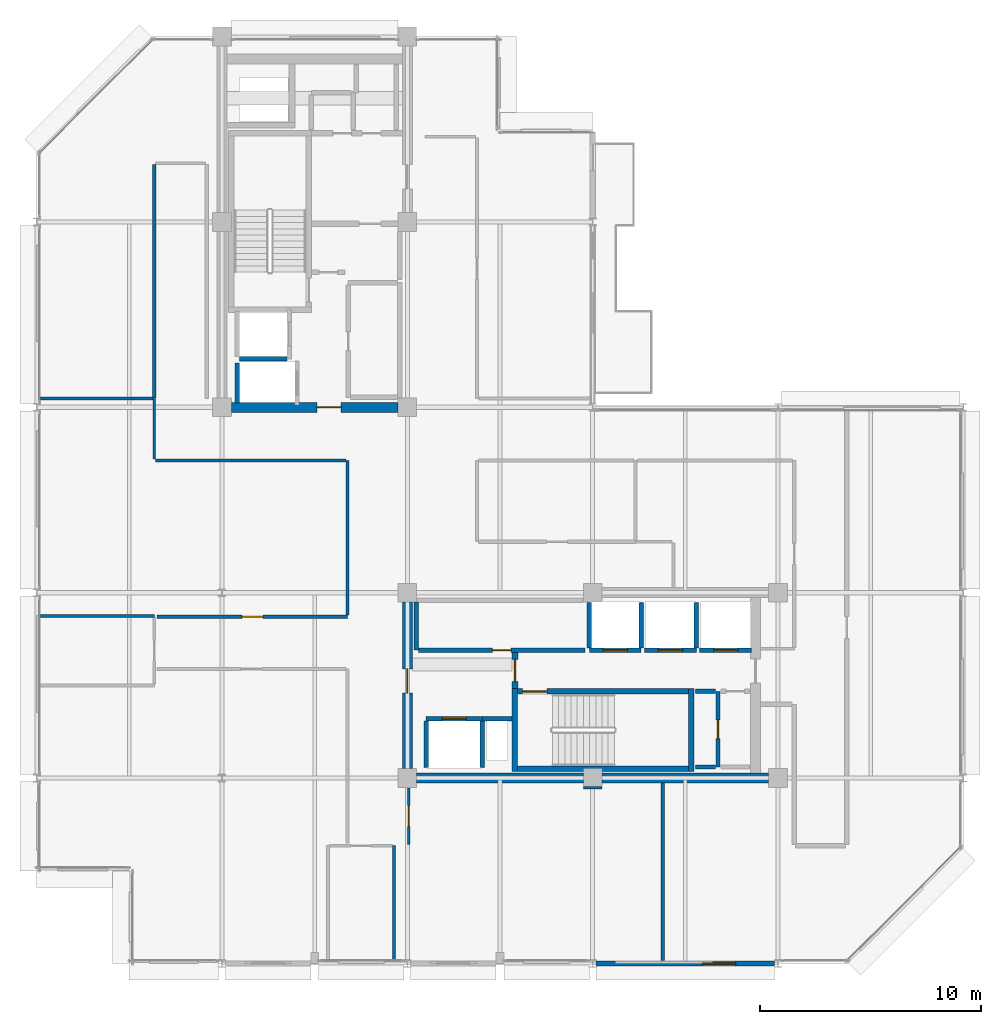
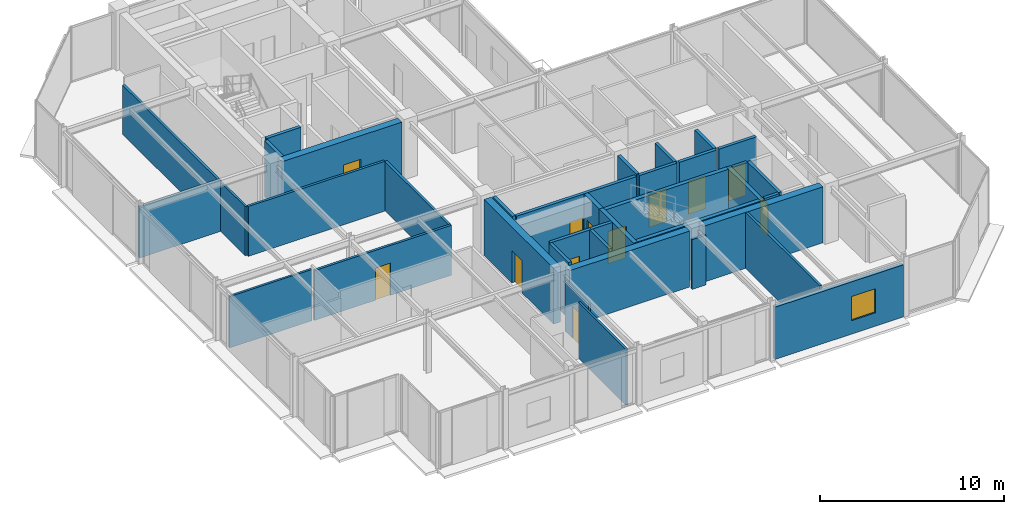
# One storey, part 21 of 27: 38 walls, 12 doors, 1 window, 13 openings.
"""IFC4 building model written with IfcOpenShell, lengths in metres."""

from ifc_helpers import new_model, si_unit, direction, frame, frame_2d, origin, place, context, subcontext, project, spatial, rectangle, extrude, material, layer, layer_set, type_object, element, fill, save


model = new_model("IFC4")

# Units and contexts
model_context = context("Model", 3, precision=1e-05, world=origin(), true_north=direction((0.0, 1.0)))
body_context = subcontext(model_context, "Body", "Model", "MODEL_VIEW")
ifc_project = project(units=[si_unit("LENGTHUNIT", "METRE"), si_unit("AREAUNIT", "SQUARE_METRE"), si_unit("VOLUMEUNIT", "CUBIC_METRE"), si_unit("PLANEANGLEUNIT", "RADIAN"), si_unit("MASSUNIT", "GRAM", prefix="KILO")], contexts=[model_context])

# Site, building, storey
site_placement = place(None, origin())
site = spatial("IfcSite", under=ifc_project, at=site_placement, CompositionType="ELEMENT")
building_placement = place(site_placement, origin())
building = spatial("IfcBuilding", under=site, at=building_placement, Name="Nerrivon Quay Data Exchange", CompositionType="ELEMENT")
storey_placement = place(building_placement, frame((0.0, 0.0, 266.199951171875)))
storey = spatial("IfcBuildingStorey", under=building, at=storey_placement, Name="L63", CompositionType="ELEMENT", Elevation=266.199951171875)

# Wall, opening, window
ifc_material_1 = material(Name="Architectural terracotta precast concrete N50 (50 MPa)", Category="masonry")
ifc_layer_1 = layer(ifc_material_1, 0.239990234375)
ifc_layer_set_1 = layer_set([ifc_layer_1], Name="Architectural terracotta precast concrete N50 (50 MPa)")
wall_type_1 = type_object("IfcWallType", Name="EW-PREC-240", PredefinedType="STANDARD", material=ifc_layer_set_1)
wall_1_placement = place(storey_placement, frame((33.444580078125, 0.0, 0.0), z_axis=(0.0, 0.0, 1.0), x_axis=(-1.0, 0.0, 0.0)))
wall_1 = element("IfcWall", 1, at=wall_1_placement, inside=storey, type_object=wall_type_1, Name="L63 Podium Precast Spandrel Wall 3", PredefinedType="STANDARD", context=body_context, shape_type="SweptSolid", body=[
    extrude(rectangle(XDim=8.089111328125, YDim=0.239990234375, at=frame_2d((4.04443359375, 0.0))), origin(), (0.0, 0.0, 1.0), 3.47509765625),
])
opening_1_placement = place(wall_1_placement, frame((1.76953125, 0.0, 0.89990234375)))
opening_1 = element("IfcOpeningElement", 2, at=opening_1_placement, cuts=wall_1, Name="Opening WN4", PredefinedType="OPENING", context=body_context, shape_type="SweptSolid", body=[
    extrude(rectangle(XDim=1.5, YDim=1.60009765625, at=frame_2d((0.75, 0.800048828125))), frame((0.0, 0.1298828125, 0.0), z_axis=(0.0, -1.0, 0.0), x_axis=(1.0, 0.0, 0.0)), (0.0, 0.0, 1.0), 0.260009765625),
])
ifc_material_2 = material(Name="Double-glazed low-E solar control glass", Category="glass")
window_type = type_object("IfcWindowType", Name="WIN-W4-1500x1600", PartitioningType="SINGLE_PANEL", PredefinedType="WINDOW", material=ifc_material_2)
window_placement = place(opening_1_placement, origin())
window = element("IfcWindow", 3, at=window_placement, inside=storey, type_object=window_type, Name="L63 Solar Facade Window 3", OverallHeight=1.60009765625, OverallWidth=1.5, PartitioningType="SINGLE_PANEL", PredefinedType="WINDOW", context=body_context, shape_type="SweptSolid", body=[
    extrude(rectangle(XDim=1.5, YDim=1.60009765625, at=frame_2d((0.75, 0.800048828125))), frame((0.0, 0.030029296875, 0.0), z_axis=(0.0, -1.0, 0.0), x_axis=(1.0, 0.0, 0.0)), (0.0, 0.0, 1.0), 0.06005859375),
])
fill(opening_1, window)

# Wall, opening, door
ifc_material_3 = material(Name="Concrete N50 (50 MPa)", Category="concrete")
ifc_layer_2 = layer(ifc_material_3, 0.449951171875)
ifc_layer_set_2 = layer_set([ifc_layer_2], Name="Concrete N50 (50 MPa)")
wall_type_2 = type_object("IfcWallType", Name="WALL-CW-550", PredefinedType="SHEAR", material=ifc_layer_set_2)
wall_2_placement = place(storey_placement, frame((8.824951171875, 25.199951171875, 0.0), z_axis=(0.0, 0.0, 1.0), x_axis=(1.0, 0.0, 0.0)))
wall_2 = element("IfcWall", 4, at=wall_2_placement, inside=storey, type_object=wall_type_2, Name="L63 West Split-Core Shear Wall WCW-S1", PredefinedType="SHEAR", context=body_context, shape_type="SweptSolid", body=[
    extrude(rectangle(XDim=7.550048828125, YDim=0.449951171875, at=frame_2d((3.77490234375, 0.0))), origin(), (0.0, 0.0, 1.0), 3.72509765625),
])
opening_2_placement = place(wall_2_placement, frame((3.875, 0.0, 0.0)))
opening_2 = element("IfcOpeningElement", 5, at=opening_2_placement, cuts=wall_2, Name="Opening FD-120", PredefinedType="OPENING", context=body_context, shape_type="SweptSolid", body=[
    extrude(rectangle(XDim=1.10009765625, YDim=2.14990234375, at=frame_2d((0.550048828125, 1.074951171875))), frame((0.0, 0.23486328125, 0.0), z_axis=(0.0, -1.0, 0.0), x_axis=(1.0, 0.0, 0.0)), (0.0, 0.0, 1.0), 0.469970703125),
])
ifc_material_4 = material(Name="Powder-coated galvanized steel sheet", Category="steel")
door_type_1 = type_object("IfcDoorType", Name="DR-FD120-1100", OperationType="NOTDEFINED", PredefinedType="DOOR", material=ifc_material_4)
door_1_placement = place(opening_2_placement, origin())
door_1 = element("IfcDoor", 6, at=door_1_placement, inside=storey, type_object=door_type_1, Name="L63 West Core Lobby Fire Door", OperationType="SINGLE_SWING_RIGHT", OverallHeight=2.14990234375, OverallWidth=1.10009765625, PredefinedType="DOOR", context=body_context, shape_type="SweptSolid", body=[
    extrude(rectangle(XDim=1.10009765625, YDim=2.14990234375, at=frame_2d((0.550048828125, 1.074951171875))), frame((0.0, 0.02490234375, 0.0), z_axis=(0.0, -1.0, 0.0), x_axis=(1.0, 0.0, 0.0)), (0.0, 0.0, 1.0), 0.050048828125),
])
fill(opening_2, door_1)

# Walls
wall_3_placement = place(storey_placement, frame((17.22509765625, 8.39990234375, 0.0), z_axis=(0.0, 0.0, 1.0), x_axis=(1.0, 0.0, 0.0)))
element("IfcWall", 7, at=wall_3_placement, inside=storey, type_object=wall_type_2, Name="L63 East Split-Core Shear Wall ECW-S1", PredefinedType="SHEAR", context=body_context, shape_type="SweptSolid", body=[
    extrude(rectangle(XDim=7.5498046875, YDim=0.449951171875, at=frame_2d((3.77490234375, 0.0))), origin(), (0.0, 0.0, 1.0), 3.72509765625),
])
wall_4_placement = place(storey_placement, frame((25.625, 8.39990234375, 0.0), z_axis=(0.0, 0.0, 1.0), x_axis=(1.0, 0.0, 0.0)))
element("IfcWall", 8, at=wall_4_placement, inside=storey, type_object=wall_type_2, Name="L63 East Split-Core Shear Wall ECW-S2", PredefinedType="SHEAR", context=body_context, shape_type="SweptSolid", body=[
    extrude(rectangle(XDim=7.550048828125, YDim=0.449951171875, at=frame_2d((3.77490234375, 0.0))), origin(), (0.0, 0.0, 1.0), 3.72509765625),
])

# Wall, opening, door
wall_5_placement = place(storey_placement, frame((16.800048828125, 8.824951171875, 0.0), z_axis=(0.0, 0.0, 1.0), x_axis=(0.0, 1.0, 0.0)))
wall_5 = element("IfcWall", 9, at=wall_5_placement, inside=storey, type_object=wall_type_2, Name="L63 East Split-Core Shear Wall ECW-W1", PredefinedType="SHEAR", context=body_context, shape_type="SweptSolid", body=[
    extrude(rectangle(XDim=7.550048828125, YDim=0.449951171875, at=frame_2d((3.77490234375, 0.0))), origin(), (0.0, 0.0, 1.0), 3.72509765625),
])
opening_3_placement = place(wall_5_placement, frame((3.425048828125, 0.0, 0.0)))
opening_3 = element("IfcOpeningElement", 10, at=opening_3_placement, cuts=wall_5, Name="Opening FD-120", PredefinedType="OPENING", context=body_context, shape_type="SweptSolid", body=[
    extrude(rectangle(XDim=1.10009765625, YDim=2.14990234375, at=frame_2d((0.550048828125, 1.074951171875))), frame((0.0, 0.23486328125, 0.0), z_axis=(0.0, -1.0, 0.0), x_axis=(1.0, 0.0, 0.0)), (0.0, 0.0, 1.0), 0.469970703125),
])
door_2_placement = place(opening_3_placement, origin())
door_2 = element("IfcDoor", 11, at=door_2_placement, inside=storey, type_object=door_type_1, Name="L63 East Core Lobby Fire Door", OperationType="SINGLE_SWING_RIGHT", OverallHeight=2.14990234375, OverallWidth=1.10009765625, PredefinedType="DOOR", context=body_context, shape_type="SweptSolid", body=[
    extrude(rectangle(XDim=1.10009765625, YDim=2.14990234375, at=frame_2d((0.550048828125, 1.074951171875))), frame((0.0, 0.02490234375, 0.0), z_axis=(0.0, -1.0, 0.0), x_axis=(1.0, 0.0, 0.0)), (0.0, 0.0, 1.0), 0.050048828125),
])
fill(opening_3, door_2)

# Walls
ifc_material_5 = material(Name="Gypsum plasterboard on cold-formed framing", Category="gypsum")
ifc_layer_3 = layer(ifc_material_5, 0.199951171875)
ifc_layer_set_3 = layer_set([ifc_layer_3], Name="Gypsum plasterboard on cold-formed framing")
wall_type_3 = type_object("IfcWallType", Name="WALL-FW-200", PredefinedType="PARTITIONING", material=ifc_layer_set_3)
wall_6_placement = place(storey_placement, frame((20.199951171875, 11.080078125, 0.0), z_axis=(0.0, 0.0, 1.0), x_axis=(1.0, 0.0, 0.0)))
element("IfcWall", 12, at=wall_6_placement, inside=storey, type_object=wall_type_3, Name="L63 East Core MEP Riser Shaft Wall N", PredefinedType="PARTITIONING", context=body_context, shape_type="SweptSolid", body=[
    extrude(rectangle(XDim=1.35009765625, YDim=0.199951171875, at=frame_2d((0.675048828125, 0.0))), origin(), (0.0, 0.0, 1.0), 3.72509765625),
])
wall_7_placement = place(storey_placement, frame((9.199951171875, 27.39990234375, 0.0), z_axis=(0.0, 0.0, 1.0), x_axis=(1.0, 0.0, 0.0)))
element("IfcWall", 13, at=wall_7_placement, inside=storey, type_object=wall_type_3, Name="L63 Lift Shaft Wall FFL-1 SOUTH", PredefinedType="PARTITIONING", context=body_context, shape_type="SweptSolid", body=[
    extrude(rectangle(XDim=2.150146484375, YDim=0.199951171875, at=frame_2d((1.0751953125, 0.0))), origin(), (0.0, 0.0, 1.0), 3.72509765625),
])
wall_8_placement = place(storey_placement, frame((9.10009765625, 25.39990234375, 0.0), z_axis=(0.0, 0.0, 1.0), x_axis=(0.0, 1.0, 0.0)))
element("IfcWall", 14, at=wall_8_placement, inside=storey, type_object=wall_type_3, Name="L63 Lift Shaft Wall SVL-1 WEST", PredefinedType="PARTITIONING", context=body_context, shape_type="SweptSolid", body=[
    extrude(rectangle(XDim=1.800048828125, YDim=0.199951171875, at=frame_2d((0.89990234375, 0.0))), origin(), (0.0, 0.0, 1.0), 3.72509765625),
])

# Wall, opening, door
wall_9_placement = place(storey_placement, frame((17.64990234375, 11.080078125, 0.0), z_axis=(0.0, 0.0, 1.0), x_axis=(1.0, 0.0, 0.0)))
wall_9 = element("IfcWall", 15, at=wall_9_placement, inside=storey, type_object=wall_type_3, Name="L63 Lift Front Wall FFL-2", PredefinedType="PARTITIONING", context=body_context, shape_type="SweptSolid", body=[
    extrude(rectangle(XDim=2.550048828125, YDim=0.199951171875, at=frame_2d((1.27490234375, 0.0))), origin(), (0.0, 0.0, 1.0), 3.72509765625),
])
opening_4_placement = place(wall_9_placement, frame((0.72509765625, 0.0, 0.0)))
opening_4 = element("IfcOpeningElement", 16, at=opening_4_placement, cuts=wall_9, Name="Opening LD-120", PredefinedType="OPENING", context=body_context, shape_type="SweptSolid", body=[
    extrude(rectangle(XDim=1.10009765625, YDim=2.199951171875, at=frame_2d((0.550048828125, 1.10009765625))), frame((0.0, 0.10986328125, 0.0), z_axis=(0.0, -1.0, 0.0), x_axis=(1.0, 0.0, 0.0)), (0.0, 0.0, 1.0), 0.219970703125),
])
door_type_2 = type_object("IfcDoorType", Name="DR-LIFT-LD120", OperationType="DOUBLE_DOOR_SLIDING", PredefinedType="DOOR", material=ifc_material_4)
door_3_placement = place(opening_4_placement, origin())
door_3 = element("IfcDoor", 17, at=door_3_placement, inside=storey, type_object=door_type_2, Name="L63 Lift Landing Sliding Door FFL-2", OperationType="DOUBLE_DOOR_SLIDING", OverallHeight=2.199951171875, OverallWidth=1.10009765625, PredefinedType="DOOR", context=body_context, shape_type="SweptSolid", body=[
    extrude(rectangle(XDim=1.10009765625, YDim=2.199951171875, at=frame_2d((0.550048828125, 1.10009765625))), frame((0.0, 0.02490234375, 0.0), z_axis=(0.0, -1.0, 0.0), x_axis=(1.0, 0.0, 0.0)), (0.0, 0.0, 1.0), 0.050048828125),
])
fill(opening_4, door_3)

# Walls
for number, where, z_axis, x_axis, name in (
    (18, (20.199951171875, 8.8798828125, 0.0), (0.0, 0.0, 1.0), (0.0, 1.0, 0.0), "L63 Lift Shaft Wall FFL-2 EAST"),
    (19, (17.64990234375, 8.8798828125, 0.0), (0.0, 0.0, 1.0), (0.0, 1.0, 0.0), "L63 Lift Shaft Wall FFL-2 WEST"),
):
    element("IfcWall", number, at=place(storey_placement, frame(where, z_axis=z_axis, x_axis=x_axis)), inside=storey, type_object=wall_type_3, Name=name, PredefinedType="PARTITIONING", context=body_context, shape_type="SweptSolid", body=[
        extrude(rectangle(XDim=2.10009765625, YDim=0.199951171875, at=frame_2d((1.050048828125, 0.0))), origin(), (0.0, 0.0, 1.0), 3.72509765625),
    ])

# Wall, opening, door
wall_10_placement = place(storey_placement, frame((25.050048828125, 14.199951171875, 0.0), z_axis=(0.0, 0.0, 1.0), x_axis=(1.0, 0.0, 0.0)))
wall_10 = element("IfcWall", 20, at=wall_10_placement, inside=storey, type_object=wall_type_3, Name="L63 Lift Front Wall PL7", PredefinedType="PARTITIONING", context=body_context, shape_type="SweptSolid", body=[
    extrude(rectangle(XDim=2.349853515625, YDim=0.199951171875, at=frame_2d((1.1748046875, 0.0))), origin(), (0.0, 0.0, 1.0), 3.72509765625),
])
opening_5_placement = place(wall_10_placement, frame((0.625, 0.0, 0.0)))
opening_5 = element("IfcOpeningElement", 21, at=opening_5_placement, cuts=wall_10, Name="Opening LD-120", PredefinedType="OPENING", context=body_context, shape_type="SweptSolid", body=[
    extrude(rectangle(XDim=1.10009765625, YDim=2.199951171875, at=frame_2d((0.550048828125, 1.10009765625))), frame((0.0, 0.10986328125, 0.0), z_axis=(0.0, -1.0, 0.0), x_axis=(1.0, 0.0, 0.0)), (0.0, 0.0, 1.0), 0.219970703125),
])
door_4_placement = place(opening_5_placement, origin())
door_4 = element("IfcDoor", 22, at=door_4_placement, inside=storey, type_object=door_type_2, Name="L63 Lift Landing Sliding Door PL7", OperationType="DOUBLE_DOOR_SLIDING", OverallHeight=2.199951171875, OverallWidth=1.10009765625, PredefinedType="DOOR", context=body_context, shape_type="SweptSolid", body=[
    extrude(rectangle(XDim=1.10009765625, YDim=2.199951171875, at=frame_2d((0.550048828125, 1.10009765625))), frame((0.0, 0.02490234375, 0.0), z_axis=(0.0, -1.0, 0.0), x_axis=(1.0, 0.0, 0.0)), (0.0, 0.0, 1.0), 0.050048828125),
])
fill(opening_5, door_4)

# Walls
for number, where, z_axis, x_axis, name in (
    (23, (27.39990234375, 14.300048828125, 0.0), (0.0, 0.0, 1.0), (0.0, 1.0, 0.0), "L63 Lift Shaft Wall PL7 EAST"),
    (24, (25.050048828125, 14.300048828125, 0.0), (0.0, 0.0, 1.0), (0.0, 1.0, 0.0), "L63 Lift Shaft Wall PL7 WEST"),
):
    element("IfcWall", number, at=place(storey_placement, frame(where, z_axis=z_axis, x_axis=x_axis)), inside=storey, type_object=wall_type_3, Name=name, PredefinedType="PARTITIONING", context=body_context, shape_type="SweptSolid", body=[
        extrude(rectangle(XDim=2.050048828125, YDim=0.199951171875, at=frame_2d((1.02490234375, 0.0))), origin(), (0.0, 0.0, 1.0), 3.72509765625),
    ])

# Wall, opening, door
wall_11_placement = place(storey_placement, frame((27.550048828125, 14.199951171875, 0.0), z_axis=(0.0, 0.0, 1.0), x_axis=(1.0, 0.0, 0.0)))
wall_11 = element("IfcWall", 25, at=wall_11_placement, inside=storey, type_object=wall_type_3, Name="L63 Lift Front Wall PL8", PredefinedType="PARTITIONING", context=body_context, shape_type="SweptSolid", body=[
    extrude(rectangle(XDim=2.349853515625, YDim=0.199951171875, at=frame_2d((1.1748046875, 0.0))), origin(), (0.0, 0.0, 1.0), 3.72509765625),
])
opening_6_placement = place(wall_11_placement, frame((0.625, 0.0, 0.0)))
opening_6 = element("IfcOpeningElement", 26, at=opening_6_placement, cuts=wall_11, Name="Opening LD-120", PredefinedType="OPENING", context=body_context, shape_type="SweptSolid", body=[
    extrude(rectangle(XDim=1.10009765625, YDim=2.199951171875, at=frame_2d((0.550048828125, 1.10009765625))), frame((0.0, 0.10986328125, 0.0), z_axis=(0.0, -1.0, 0.0), x_axis=(1.0, 0.0, 0.0)), (0.0, 0.0, 1.0), 0.219970703125),
])
door_5_placement = place(opening_6_placement, origin())
door_5 = element("IfcDoor", 27, at=door_5_placement, inside=storey, type_object=door_type_2, Name="L63 Lift Landing Sliding Door PL8", OperationType="DOUBLE_DOOR_SLIDING", OverallHeight=2.199951171875, OverallWidth=1.10009765625, PredefinedType="DOOR", context=body_context, shape_type="SweptSolid", body=[
    extrude(rectangle(XDim=1.10009765625, YDim=2.199951171875, at=frame_2d((0.550048828125, 1.10009765625))), frame((0.0, 0.02490234375, 0.0), z_axis=(0.0, -1.0, 0.0), x_axis=(1.0, 0.0, 0.0)), (0.0, 0.0, 1.0), 0.050048828125),
])
fill(opening_6, door_5)

# Wall
wall_12_placement = place(storey_placement, frame((29.89990234375, 14.300048828125, 0.0), z_axis=(0.0, 0.0, 1.0), x_axis=(0.0, 1.0, 0.0)))
element("IfcWall", 28, at=wall_12_placement, inside=storey, type_object=wall_type_3, Name="L63 Lift Shaft Wall PL8 EAST", PredefinedType="PARTITIONING", context=body_context, shape_type="SweptSolid", body=[
    extrude(rectangle(XDim=2.050048828125, YDim=0.199951171875, at=frame_2d((1.02490234375, 0.0))), origin(), (0.0, 0.0, 1.0), 3.72509765625),
])

# Wall, opening, door
wall_13_placement = place(storey_placement, frame((30.050048828125, 14.199951171875, 0.0), z_axis=(0.0, 0.0, 1.0), x_axis=(1.0, 0.0, 0.0)))
wall_13 = element("IfcWall", 29, at=wall_13_placement, inside=storey, type_object=wall_type_3, Name="L63 Lift Front Wall PL9", PredefinedType="PARTITIONING", context=body_context, shape_type="SweptSolid", body=[
    extrude(rectangle(XDim=2.349853515625, YDim=0.199951171875, at=frame_2d((1.1748046875, 0.0))), origin(), (0.0, 0.0, 1.0), 3.72509765625),
])
opening_7_placement = place(wall_13_placement, frame((0.625, 0.0, 0.0)))
opening_7 = element("IfcOpeningElement", 30, at=opening_7_placement, cuts=wall_13, Name="Opening LD-120", PredefinedType="OPENING", context=body_context, shape_type="SweptSolid", body=[
    extrude(rectangle(XDim=1.10009765625, YDim=2.199951171875, at=frame_2d((0.550048828125, 1.10009765625))), frame((0.0, 0.10986328125, 0.0), z_axis=(0.0, -1.0, 0.0), x_axis=(1.0, 0.0, 0.0)), (0.0, 0.0, 1.0), 0.219970703125),
])
door_6_placement = place(opening_7_placement, origin())
door_6 = element("IfcDoor", 31, at=door_6_placement, inside=storey, type_object=door_type_2, Name="L63 Lift Landing Sliding Door PL9", OperationType="DOUBLE_DOOR_SLIDING", OverallHeight=2.199951171875, OverallWidth=1.10009765625, PredefinedType="DOOR", context=body_context, shape_type="SweptSolid", body=[
    extrude(rectangle(XDim=1.10009765625, YDim=2.199951171875, at=frame_2d((0.550048828125, 1.10009765625))), frame((0.0, 0.02490234375, 0.0), z_axis=(0.0, -1.0, 0.0), x_axis=(1.0, 0.0, 0.0)), (0.0, 0.0, 1.0), 0.050048828125),
])
fill(opening_7, door_6)

# Wall
wall_14_placement = place(storey_placement, frame((17.199951171875, 16.3701171875, 0.0), z_axis=(0.0, 0.0, 1.0), x_axis=(0.0, -1.0, 0.0)))
element("IfcWall", 32, at=wall_14_placement, inside=storey, type_object=wall_type_3, Name="L63 Partition High-Zone Patching Archive", PredefinedType="PARTITIONING", context=body_context, shape_type="SweptSolid", body=[
    extrude(rectangle(XDim=2.170166015625, YDim=0.199951171875, at=frame_2d((1.0849609375, 0.0))), origin(), (0.0, 0.0, 1.0), 3.72509765625),
])

# Wall, opening, door
wall_15_placement = place(storey_placement, frame((17.303955078125, 14.199951171875, 0.0), z_axis=(0.0, 0.0, 1.0), x_axis=(1.0, 0.0, 0.0)))
wall_15 = element("IfcWall", 33, at=wall_15_placement, inside=storey, type_object=wall_type_3, Name="L63 Partition High-Zone Patching Archive", PredefinedType="PARTITIONING", context=body_context, shape_type="SweptSolid", body=[
    extrude(rectangle(XDim=7.546142578125, YDim=0.199951171875, at=frame_2d((3.77294921875, 0.0))), origin(), (0.0, 0.0, 1.0), 3.72509765625),
])
opening_8_placement = place(wall_15_placement, frame((3.347900390625, 0.0, 0.0)))
opening_8 = element("IfcOpeningElement", 34, at=opening_8_placement, cuts=wall_15, Name="Opening FD-60S", PredefinedType="OPENING", context=body_context, shape_type="SweptSolid", body=[
    extrude(rectangle(XDim=0.85009765625, YDim=2.14990234375, at=frame_2d((0.425048828125, 1.074951171875))), frame((0.0, 0.10986328125, 0.0), z_axis=(0.0, -1.0, 0.0), x_axis=(1.0, 0.0, 0.0)), (0.0, 0.0, 1.0), 0.219970703125),
])
ifc_material_6 = material(Name="Engineered hardwood timber", Category="wood")
door_type_3 = type_object("IfcDoorType", Name="DR-FD60-850", OperationType="NOTDEFINED", PredefinedType="DOOR", material=ifc_material_6)
door_7_placement = place(opening_8_placement, origin())
door_7 = element("IfcDoor", 35, at=door_7_placement, inside=storey, type_object=door_type_3, Name="L63 Door High-Zone Patching Archive", OperationType="SINGLE_SWING_LEFT", OverallHeight=2.14990234375, OverallWidth=0.85009765625, PredefinedType="DOOR", context=body_context, shape_type="SweptSolid", body=[
    extrude(rectangle(XDim=0.85009765625, YDim=2.14990234375, at=frame_2d((0.425048828125, 1.074951171875))), frame((0.0, 0.02490234375, 0.0), z_axis=(0.0, -1.0, 0.0), x_axis=(1.0, 0.0, 0.0)), (0.0, 0.0, 1.0), 0.050048828125),
])
fill(opening_8, door_7)

wall_16_placement = place(storey_placement, frame((30.8798828125, 8.89990234375, 0.0), z_axis=(0.0, 0.0, 1.0), x_axis=(0.0, 1.0, 0.0)))
wall_16 = element("IfcWall", 36, at=wall_16_placement, inside=storey, type_object=wall_type_3, Name="L63 Partition East Electrical Closet", PredefinedType="PARTITIONING", context=body_context, shape_type="SweptSolid", body=[
    extrude(rectangle(XDim=3.43017578125, YDim=0.199951171875, at=frame_2d((1.715087890625, 0.0))), origin(), (0.0, 0.0, 1.0), 3.72509765625),
])
opening_9_placement = place(wall_16_placement, frame((1.2900390625, 0.0, 0.0)))
opening_9 = element("IfcOpeningElement", 37, at=opening_9_placement, cuts=wall_16, Name="Opening FD-60S", PredefinedType="OPENING", context=body_context, shape_type="SweptSolid", body=[
    extrude(rectangle(XDim=0.85009765625, YDim=2.14990234375, at=frame_2d((0.425048828125, 1.074951171875))), frame((0.0, 0.10986328125, 0.0), z_axis=(0.0, -1.0, 0.0), x_axis=(1.0, 0.0, 0.0)), (0.0, 0.0, 1.0), 0.219970703125),
])
door_8_placement = place(opening_9_placement, origin())
door_8 = element("IfcDoor", 38, at=door_8_placement, inside=storey, type_object=door_type_3, Name="L63 Door East Electrical Closet", OperationType="SINGLE_SWING_RIGHT", OverallHeight=2.14990234375, OverallWidth=0.85009765625, PredefinedType="DOOR", context=body_context, shape_type="SweptSolid", body=[
    extrude(rectangle(XDim=0.85009765625, YDim=2.14990234375, at=frame_2d((0.425048828125, 1.074951171875))), frame((0.0, 0.02490234375, 0.0), z_axis=(0.0, -1.0, 0.0), x_axis=(1.0, 0.0, 0.0)), (0.0, 0.0, 1.0), 0.050048828125),
])
fill(opening_9, door_8)

# Walls
for number, where, z_axis, x_axis, name in (
    (39, (30.77587890625, 12.330078125, 0.0), (0.0, 0.0, 1.0), (-1.0, 0.0, 0.0), "L63 Partition East Electrical Closet"),
    (40, (29.85009765625, 8.89990234375, 0.0), (0.0, 0.0, 1.0), (1.0, 0.0, 0.0), "L63 Partition East Electrical Closet"),
):
    element("IfcWall", number, at=place(storey_placement, frame(where, z_axis=z_axis, x_axis=x_axis)), inside=storey, type_object=wall_type_3, Name=name, PredefinedType="PARTITIONING", context=body_context, shape_type="SweptSolid", body=[
        extrude(rectangle(XDim=0.92578125, YDim=0.199951171875, at=frame_2d((0.462890625, 0.0))), origin(), (0.0, 0.0, 1.0), 3.72509765625),
    ])
ifc_layer_4 = layer(ifc_material_5, 0.1201171875)
ifc_layer_set_4 = layer_set([ifc_layer_4], Name="Gypsum plasterboard on cold-formed framing")
wall_type_4 = type_object("IfcWallType", Name="WALL-PT-120", PredefinedType="PARTITIONING", material=ifc_layer_set_4)
wall_17_placement = place(storey_placement, frame((25.630859375, 7.955810546875, 0.0), z_axis=(0.0, 0.0, 1.0), x_axis=(-0.99999963391, -0.000855675671, 0.0)))
element("IfcWall", 41, at=wall_17_placement, inside=storey, type_object=wall_type_4, Name="L63 Partition Mail and Crew Room", PredefinedType="PARTITIONING", context=body_context, shape_type="SweptSolid", body=[
    extrude(rectangle(XDim=0.85595703125, YDim=0.1201171875, at=frame_2d((0.427978515625, 0.0))), origin(), (0.0, 0.0, 1.0), 3.319091796875),
])

# Wall, opening, door
wall_18_placement = place(storey_placement, frame((16.860107421875, 7.955078125, 0.0), z_axis=(0.0, 0.0, 1.0), x_axis=(0.0, -1.0, 0.0)))
wall_18 = element("IfcWall", 42, at=wall_18_placement, inside=storey, type_object=wall_type_4, Name="L63 Partition Mail and Crew Room", PredefinedType="PARTITIONING", context=body_context, shape_type="SweptSolid", body=[
    extrude(rectangle(XDim=2.55517578125, YDim=0.1201171875, at=frame_2d((1.277587890625, 0.0))), origin(), (0.0, 0.0, 1.0), 3.319091796875),
])
opening_10_placement = place(wall_18_placement, frame((0.802490234375, 0.0, 0.0)))
opening_10 = element("IfcOpeningElement", 43, at=opening_10_placement, cuts=wall_18, Name="Opening D-01", PredefinedType="OPENING", context=body_context, shape_type="SweptSolid", body=[
    extrude(rectangle(XDim=0.949951171875, YDim=2.14990234375, at=frame_2d((0.47509765625, 1.074951171875))), frame((0.0, 0.070068359375, 0.0), z_axis=(0.0, -1.0, 0.0), x_axis=(1.0, 0.0, 0.0)), (0.0, 0.0, 1.0), 0.14013671875),
])
door_type_4 = type_object("IfcDoorType", Name="DR-INT-950", OperationType="NOTDEFINED", PredefinedType="DOOR", material=ifc_material_6)
door_9_placement = place(opening_10_placement, origin())
door_9 = element("IfcDoor", 44, at=door_9_placement, inside=storey, type_object=door_type_4, Name="L63 Door Mail and Crew Room", OperationType="SINGLE_SWING_RIGHT", OverallHeight=2.14990234375, OverallWidth=0.949951171875, PredefinedType="DOOR", context=body_context, shape_type="SweptSolid", body=[
    extrude(rectangle(XDim=0.949951171875, YDim=2.14990234375, at=frame_2d((0.47509765625, 1.074951171875))), frame((0.0, 0.02490234375, 0.0), z_axis=(0.0, -1.0, 0.0), x_axis=(1.0, 0.0, 0.0)), (0.0, 0.0, 1.0), 0.050048828125),
])
fill(opening_10, door_9)

# Walls
wall_19_placement = place(storey_placement, frame((5.340087890625, 22.85009765625, 0.0), z_axis=(0.0, 0.0, 1.0), x_axis=(0.0, 1.0, 0.0)))
element("IfcWall", 45, at=wall_19_placement, inside=storey, type_object=wall_type_4, Name="L63 Partition Engineers Lounge", PredefinedType="PARTITIONING", context=body_context, shape_type="SweptSolid", body=[
    extrude(rectangle(XDim=2.747802734375, YDim=0.1201171875, at=frame_2d((1.3740234375, 0.0))), origin(), (0.0, 0.0, 1.0), 3.27099609375),
])
ifc_layer_5 = layer(ifc_material_5, 0.135009765625)
ifc_layer_set_5 = layer_set([ifc_layer_5], Name="Gypsum plasterboard on cold-formed framing")
wall_type_5 = type_object("IfcWallType", Name="WALL-PT-135", PredefinedType="PARTITIONING", material=ifc_layer_set_5)
wall_20_placement = place(storey_placement, frame((5.340087890625, 15.75, 0.0), z_axis=(0.0, 0.0, 1.0), x_axis=(-1.0, 0.0, 0.0)))
element("IfcWall", 46, at=wall_20_placement, inside=storey, type_object=wall_type_5, Name="L63 Partition Accessible Toilet", PredefinedType="PARTITIONING", context=body_context, shape_type="SweptSolid", body=[
    extrude(rectangle(XDim=5.171142578125, YDim=0.135009765625, at=frame_2d((2.58544921875, 0.0))), origin(), (0.0, 0.0, 1.0), 3.421142578125),
])
wall_21_placement = place(storey_placement, frame((16.199951171875, 0.1689453125, 0.0), z_axis=(0.0, 0.0, 1.0), x_axis=(0.0, 1.0, 0.0)))
element("IfcWall", 47, at=wall_21_placement, inside=storey, type_object=wall_type_5, Name="L63 Partition Public Washrooms", PredefinedType="PARTITIONING", context=body_context, shape_type="SweptSolid", body=[
    extrude(rectangle(XDim=5.171142578125, YDim=0.135009765625, at=frame_2d((2.58544921875, 0.0))), origin(), (0.0, 0.0, 1.0), 3.72509765625),
])
wall_22_placement = place(storey_placement, frame((5.27587890625, 25.597900390625, 0.0), z_axis=(0.0, 0.0, 1.0), x_axis=(-1.0, 0.0, 0.0)))
element("IfcWall", 48, at=wall_22_placement, inside=storey, type_object=wall_type_5, Name="L63 Partition Engineers Lounge", PredefinedType="PARTITIONING", context=body_context, shape_type="SweptSolid", body=[
    extrude(rectangle(XDim=5.10693359375, YDim=0.135009765625, at=frame_2d((2.553466796875, 0.0))), origin(), (0.0, 0.0, 1.0), 3.421142578125),
])
ifc_layer_6 = layer(ifc_material_5, 0.14990234375)
ifc_layer_set_6 = layer_set([ifc_layer_6], Name="Gypsum plasterboard on cold-formed framing")
wall_type_6 = type_object("IfcWallType", Name="WALL-PT-150", PredefinedType="PARTITIONING", material=ifc_layer_set_6)
wall_23_placement = place(storey_placement, frame((28.37548828125, 0.1240234375, 0.0), z_axis=(0.0, 0.0, 1.0), x_axis=(0.0, 1.0, 0.0)))
element("IfcWall", 49, at=wall_23_placement, inside=storey, type_object=wall_type_6, Name="L63 Partition Mail and Crew Room", PredefinedType="PARTITIONING", context=body_context, shape_type="SweptSolid", body=[
    extrude(rectangle(XDim=8.046875, YDim=0.14990234375, at=frame_2d((4.0234375, 0.0))), origin(), (0.0, 0.0, 1.0), 3.72509765625),
])

# Wall, opening, door
wall_24_placement = place(storey_placement, frame((5.4599609375, 15.7099609375, 0.0), z_axis=(0.0, 0.0, 1.0), x_axis=(1.0, 0.0, 0.0)))
wall_24 = element("IfcWall", 50, at=wall_24_placement, inside=storey, type_object=wall_type_6, Name="L63 Partition Engineers Lounge", PredefinedType="PARTITIONING", context=body_context, shape_type="SweptSolid", body=[
    extrude(rectangle(XDim=8.630126953125, YDim=0.14990234375, at=frame_2d((4.31494140625, 0.0))), origin(), (0.0, 0.0, 1.0), 3.319091796875),
])
opening_11_placement = place(wall_24_placement, frame((3.840087890625, 0.0, 0.0)))
opening_11 = element("IfcOpeningElement", 51, at=opening_11_placement, cuts=wall_24, Name="Opening D-01", PredefinedType="OPENING", context=body_context, shape_type="SweptSolid", body=[
    extrude(rectangle(XDim=0.949951171875, YDim=2.14990234375, at=frame_2d((0.47509765625, 1.074951171875))), frame((0.0, 0.0849609375, 0.0), z_axis=(0.0, -1.0, 0.0), x_axis=(1.0, 0.0, 0.0)), (0.0, 0.0, 1.0), 0.169921875),
])
door_10_placement = place(opening_11_placement, origin())
door_10 = element("IfcDoor", 52, at=door_10_placement, inside=storey, type_object=door_type_4, Name="L63 Door Engineers Lounge", OperationType="SINGLE_SWING_LEFT", OverallHeight=2.14990234375, OverallWidth=0.949951171875, PredefinedType="DOOR", context=body_context, shape_type="SweptSolid", body=[
    extrude(rectangle(XDim=0.949951171875, YDim=2.14990234375, at=frame_2d((0.47509765625, 1.074951171875))), frame((0.0, 0.02490234375, 0.0), z_axis=(0.0, -1.0, 0.0), x_axis=(1.0, 0.0, 0.0)), (0.0, 0.0, 1.0), 0.050048828125),
])
fill(opening_11, door_10)

# Walls
wall_25_placement = place(storey_placement, frame((14.090087890625, 15.7890625, 0.0), z_axis=(0.0, 0.0, 1.0), x_axis=(0.0, 1.0, 0.0)))
element("IfcWall", 53, at=wall_25_placement, inside=storey, type_object=wall_type_6, Name="L63 Partition Engineers Lounge", PredefinedType="PARTITIONING", context=body_context, shape_type="SweptSolid", body=[
    extrude(rectangle(XDim=7.0009765625, YDim=0.14990234375, at=frame_2d((3.50048828125, 0.0))), origin(), (0.0, 0.0, 1.0), 3.27099609375),
])
wall_26_placement = place(storey_placement, frame((14.010986328125, 22.7900390625, 0.0), z_axis=(0.0, 0.0, 1.0), x_axis=(-1.0, 0.0, 0.0)))
element("IfcWall", 54, at=wall_26_placement, inside=storey, type_object=wall_type_6, Name="L63 Partition Engineers Lounge", PredefinedType="PARTITIONING", context=body_context, shape_type="SweptSolid", body=[
    extrude(rectangle(XDim=8.611083984375, YDim=0.14990234375, at=frame_2d((4.3056640625, 0.0))), origin(), (0.0, 0.0, 1.0), 3.319091796875),
])
wall_27_placement = place(storey_placement, frame((5.340087890625, 25.617919921875, 0.0), z_axis=(0.0, 0.0, 1.0), x_axis=(0.0, 1.0, 0.0)))
element("IfcWall", 55, at=wall_27_placement, inside=storey, type_object=wall_type_6, Name="L63 Partition Technical Library", PredefinedType="PARTITIONING", context=body_context, shape_type="SweptSolid", body=[
    extrude(rectangle(XDim=10.58203125, YDim=0.14990234375, at=frame_2d((5.291015625, 0.0))), origin(), (0.0, 0.0, 1.0), 3.27099609375),
])
ifc_layer_7 = layer(ifc_material_3, 0.25)
ifc_layer_set_7 = layer_set([ifc_layer_7], Name="Concrete N50 (50 MPa)")
wall_type_7 = type_object("IfcWallType", Name="WALL-SW-250", PredefinedType="SHEAR", material=ifc_layer_set_7)
for number, where, z_axis, x_axis, name in (
    (56, (21.675048828125, 8.699951171875, 0.0), (0.0, 0.0, 1.0), (0.0, 1.0, 0.0), "L63 ST02 Structural Stair Core Wall NEAR"),
    (57, (29.675048828125, 8.699951171875, 0.0), (0.0, 0.0, 1.0), (0.0, 1.0, 0.0), "L63 ST02 Structural Stair Core Wall FAR"),
):
    element("IfcWall", number, at=place(storey_placement, frame(where, z_axis=z_axis, x_axis=x_axis)), inside=storey, type_object=wall_type_7, Name=name, PredefinedType="SHEAR", context=body_context, shape_type="SweptSolid", body=[
        extrude(rectangle(XDim=3.75, YDim=0.25, at=frame_2d((1.875, 0.0))), origin(), (0.0, 0.0, 1.0), 3.72509765625),
    ])
wall_28_placement = place(storey_placement, frame((21.800048828125, 8.824951171875, 0.0), z_axis=(0.0, 0.0, 1.0), x_axis=(1.0, 0.0, 0.0)))
element("IfcWall", 58, at=wall_28_placement, inside=storey, type_object=wall_type_7, Name="L63 ST02 Structural Stair Core Wall LEFT", PredefinedType="SHEAR", context=body_context, shape_type="SweptSolid", body=[
    extrude(rectangle(XDim=7.75, YDim=0.25, at=frame_2d((3.875, 0.0))), origin(), (0.0, 0.0, 1.0), 3.72509765625),
])

# Wall, opening, door
wall_29_placement = place(storey_placement, frame((21.800048828125, 12.324951171875, 0.0), z_axis=(0.0, 0.0, 1.0), x_axis=(1.0, 0.0, 0.0)))
wall_29 = element("IfcWall", 59, at=wall_29_placement, inside=storey, type_object=wall_type_7, Name="L63 ST02 Structural Stair Core Wall RIGHT", PredefinedType="SHEAR", context=body_context, shape_type="SweptSolid", body=[
    extrude(rectangle(XDim=7.75, YDim=0.25, at=frame_2d((3.875, 0.0))), origin(), (0.0, 0.0, 1.0), 3.72509765625),
])
opening_12_placement = place(wall_29_placement, frame((0.219970703125, 0.0, 0.0)))
opening_12 = element("IfcOpeningElement", 60, at=opening_12_placement, cuts=wall_29, Name="Opening FD-120", PredefinedType="OPENING", context=body_context, shape_type="SweptSolid", body=[
    extrude(rectangle(XDim=1.10009765625, YDim=2.14990234375, at=frame_2d((0.550048828125, 1.074951171875))), frame((0.0, 0.135009765625, 0.0), z_axis=(0.0, -1.0, 0.0), x_axis=(1.0, 0.0, 0.0)), (0.0, 0.0, 1.0), 0.27001953125),
])
door_11_placement = place(opening_12_placement, origin())
door_11 = element("IfcDoor", 61, at=door_11_placement, inside=storey, type_object=door_type_1, Name="L63 Protected Stair Door ST02", OperationType="SINGLE_SWING_RIGHT", OverallHeight=2.14990234375, OverallWidth=1.10009765625, PredefinedType="DOOR", context=body_context, shape_type="SweptSolid", body=[
    extrude(rectangle(XDim=1.10009765625, YDim=2.14990234375, at=frame_2d((0.550048828125, 1.074951171875))), frame((0.0, 0.02490234375, 0.0), z_axis=(0.0, -1.0, 0.0), x_axis=(1.0, 0.0, 0.0)), (0.0, 0.0, 1.0), 0.050048828125),
])
fill(opening_12, door_11)

wall_30_placement = place(storey_placement, frame((21.679931640625, 12.449951171875, 0.0), z_axis=(0.0, 0.0, 1.0), x_axis=(0.0, 1.0, 0.0)))
wall_30 = element("IfcWall", 62, at=wall_30_placement, inside=storey, type_object=wall_type_7, Name="L63 East Firefighting Lobby Wall", PredefinedType="SHEAR", context=body_context, shape_type="SweptSolid", body=[
    extrude(rectangle(XDim=1.650146484375, YDim=0.25, at=frame_2d((0.8251953125, 0.0))), origin(), (0.0, 0.0, 1.0), 3.72509765625),
])
opening_13_placement = place(wall_30_placement, frame((0.324951171875, 0.0, 0.0)))
opening_13 = element("IfcOpeningElement", 63, at=opening_13_placement, cuts=wall_30, Name="Opening FD-60", PredefinedType="OPENING", context=body_context, shape_type="SweptSolid", body=[
    extrude(rectangle(XDim=1.0, YDim=2.14990234375, at=frame_2d((0.5, 1.074951171875))), frame((0.0, 0.135009765625, 0.0), z_axis=(0.0, -1.0, 0.0), x_axis=(1.0, 0.0, 0.0)), (0.0, 0.0, 1.0), 0.27001953125),
])
door_type_5 = type_object("IfcDoorType", Name="DR-FD60-1000", OperationType="NOTDEFINED", PredefinedType="DOOR", material=ifc_material_6)
door_12_placement = place(opening_13_placement, origin())
door_12 = element("IfcDoor", 64, at=door_12_placement, inside=storey, type_object=door_type_5, Name="L63 East Firefighting Lobby Fire Door", OperationType="SINGLE_SWING_RIGHT", OverallHeight=2.14990234375, OverallWidth=1.0, PredefinedType="DOOR", context=body_context, shape_type="SweptSolid", body=[
    extrude(rectangle(XDim=1.0, YDim=2.14990234375, at=frame_2d((0.5, 1.074951171875))), frame((0.0, 0.02490234375, 0.0), z_axis=(0.0, -1.0, 0.0), x_axis=(1.0, 0.0, 0.0)), (0.0, 0.0, 1.0), 0.050048828125),
])
fill(opening_13, door_12)

save(model, "model.ifc")
